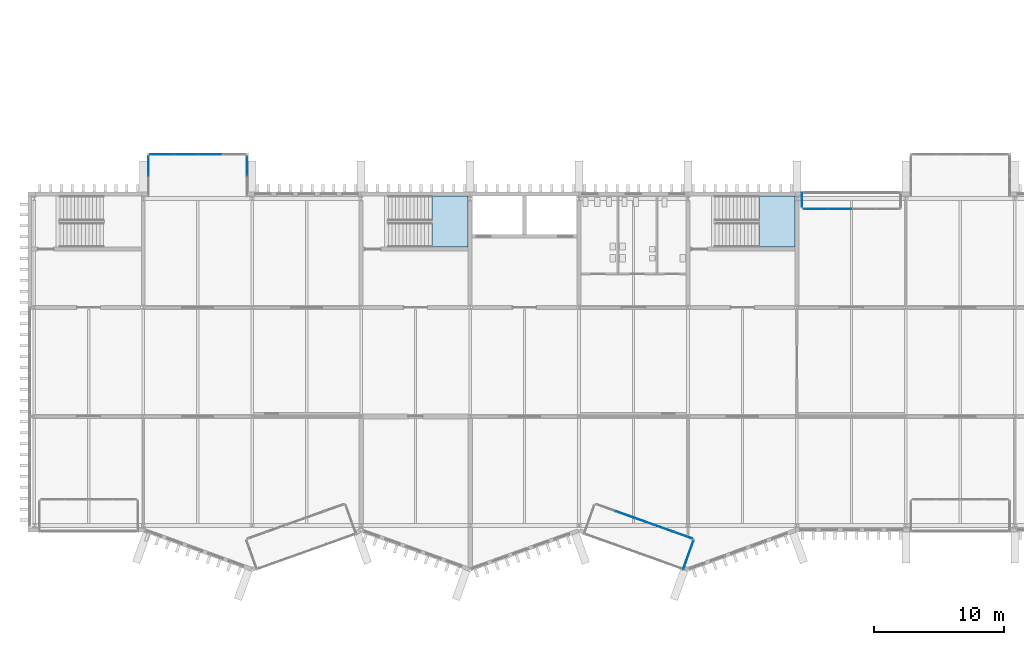
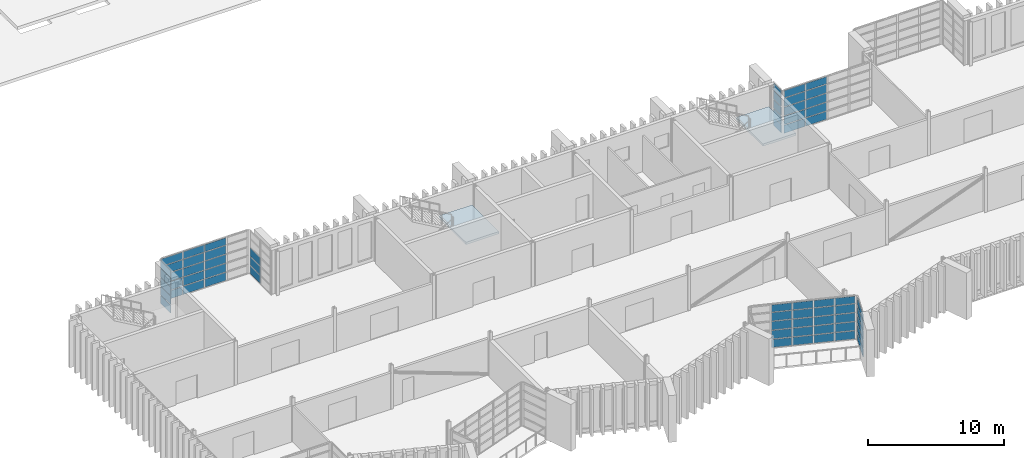
# One storey, part 43 of 88: 63 plates, 2 slabs, 9 elements without a shape of their own.
"""IFC4 building model written with IfcOpenShell, lengths in metres."""

from ifc_helpers import new_model, si_unit, direction, frame, origin, origin_2d, place, context, subcontext, project, spatial, polyline, rectangle, outline, extrude, material, layer, layer_set, type_object, element, aggregate, save


model = new_model("IFC4")

# Units and contexts
model_context = context("Model", 3, precision=1e-05, world=origin(), true_north=direction((0.0, 1.0)))
body_context = subcontext(model_context, "Body", "Model", "MODEL_VIEW")
ifc_project = project(units=[si_unit("LENGTHUNIT", "METRE"), si_unit("AREAUNIT", "SQUARE_METRE"), si_unit("VOLUMEUNIT", "CUBIC_METRE"), si_unit("PLANEANGLEUNIT", "RADIAN"), si_unit("MASSUNIT", "GRAM", prefix="KILO")], contexts=[model_context])

# Site, building, storey
site_placement = place(None, origin())
site = spatial("IfcSite", under=ifc_project, at=site_placement, CompositionType="ELEMENT")
building_placement = place(site_placement, origin())
building = spatial("IfcBuilding", under=site, at=building_placement, Name="Cresset Court Congress Hotel", CompositionType="ELEMENT")
storey_placement = place(building_placement, frame((0.0, 0.0, 14.39990234375)))
storey = spatial("IfcBuildingStorey", under=building, at=storey_placement, Name="L03", CompositionType="ELEMENT", Elevation=14.39990234375)

# Curtain wall, plates
ifc_material_1 = material(Name="Aluminium frame with double glazing", Category="aluminium")
ifc_layer_1 = layer(ifc_material_1, 0.199951171875)
ifc_layer_set_1 = layer_set([ifc_layer_1], Name="Glazed box curtain wall 1680 module")
curtain_wall_type = type_object("IfcCurtainWallType", Name="Glazed box curtain wall 1680 module", PredefinedType="NOTDEFINED", material=ifc_layer_set_1)
curtain_wall_1_placement = place(storey_placement, origin())
curtain_wall_1 = element("IfcCurtainWall", 1, at=curtain_wall_1_placement, inside=storey, type_object=curtain_wall_type, Name="Glazed box S0308 front", PredefinedType="NOTDEFINED")
ifc_material_2 = material(Name="Toughened double glazing", Category="glass")
ifc_layer_2 = layer(ifc_material_2, 0.028076171875)
ifc_layer_set_2 = layer_set([ifc_layer_2], Name="Box glass panel 28")
plate_type_1 = type_object("IfcPlateType", Name="Box glass panel 28", PredefinedType="CURTAIN_PANEL", material=ifc_layer_set_2)
plate_1_placement = place(storey_placement, frame((53.94921875, 0.837158203125, 0.06005859375), z_axis=(0.0, 0.0, 1.0), x_axis=(0.941741911601, -0.336336396981, 0.0)))
plate_1 = element("IfcPlate", 2, at=plate_1_placement, type_object=plate_type_1, Name="B-X1 panel 2.1", PredefinedType="CURTAIN_PANEL", context=body_context, shape_type="SweptSolid", body=[
    extrude(rectangle(XDim=1.52392578125, YDim=0.028076171875, at=origin_2d()), origin(), (0.0, 0.0, 1.0), 0.715087890625),
])
plate_2_placement = place(storey_placement, frame((53.94921875, 0.837158203125, 0.8349609375), z_axis=(0.0, 0.0, 1.0), x_axis=(0.941741911601, -0.336336396981, 0.0)))
plate_2 = element("IfcPlate", 3, at=plate_2_placement, type_object=plate_type_1, Name="B-X1 panel 2.2", PredefinedType="CURTAIN_PANEL", context=body_context, shape_type="SweptSolid", body=[
    extrude(rectangle(XDim=1.52392578125, YDim=0.028076171875, at=origin_2d()), origin(), (0.0, 0.0, 1.0), 0.7451171875),
])
plate_3_placement = place(storey_placement, frame((53.94921875, 0.837158203125, 1.64013671875), z_axis=(0.0, 0.0, 1.0), x_axis=(0.941741911601, -0.336336396981, 0.0)))
plate_3 = element("IfcPlate", 4, at=plate_3_placement, type_object=plate_type_1, Name="B-X1 panel 2.3", PredefinedType="CURTAIN_PANEL", context=body_context, shape_type="SweptSolid", body=[
    extrude(rectangle(XDim=1.52392578125, YDim=0.028076171875, at=origin_2d()), origin(), (0.0, 0.0, 1.0), 0.7451171875),
])
plate_4_placement = place(storey_placement, frame((53.94921875, 0.837158203125, 2.445068359375), z_axis=(0.0, 0.0, 1.0), x_axis=(0.941741911601, -0.336336396981, 0.0)))
plate_4 = element("IfcPlate", 5, at=plate_4_placement, type_object=plate_type_1, Name="B-X1 panel 2.4", PredefinedType="CURTAIN_PANEL", context=body_context, shape_type="SweptSolid", body=[
    extrude(rectangle(XDim=1.52392578125, YDim=0.028076171875, at=origin_2d()), origin(), (0.0, 0.0, 1.0), 0.7451171875),
])
plate_5_placement = place(storey_placement, frame((55.44091796875, 0.304443359375, 0.06005859375), z_axis=(0.0, 0.0, 1.0), x_axis=(0.941741911601, -0.336336396981, 0.0)))
plate_5 = element("IfcPlate", 6, at=plate_5_placement, type_object=plate_type_1, Name="B-X1 panel 3.1", PredefinedType="CURTAIN_PANEL", context=body_context, shape_type="SweptSolid", body=[
    extrude(rectangle(XDim=1.52392578125, YDim=0.028076171875, at=origin_2d()), origin(), (0.0, 0.0, 1.0), 0.715087890625),
])
plate_6_placement = place(storey_placement, frame((55.44091796875, 0.304443359375, 0.8349609375), z_axis=(0.0, 0.0, 1.0), x_axis=(0.941741911601, -0.336336396981, 0.0)))
plate_6 = element("IfcPlate", 7, at=plate_6_placement, type_object=plate_type_1, Name="B-X1 panel 3.2", PredefinedType="CURTAIN_PANEL", context=body_context, shape_type="SweptSolid", body=[
    extrude(rectangle(XDim=1.52392578125, YDim=0.028076171875, at=origin_2d()), origin(), (0.0, 0.0, 1.0), 0.7451171875),
])
plate_7_placement = place(storey_placement, frame((55.44091796875, 0.304443359375, 1.64013671875), z_axis=(0.0, 0.0, 1.0), x_axis=(0.941741911601, -0.336336396981, 0.0)))
plate_7 = element("IfcPlate", 8, at=plate_7_placement, type_object=plate_type_1, Name="B-X1 panel 3.3", PredefinedType="CURTAIN_PANEL", context=body_context, shape_type="SweptSolid", body=[
    extrude(rectangle(XDim=1.52392578125, YDim=0.028076171875, at=origin_2d()), origin(), (0.0, 0.0, 1.0), 0.7451171875),
])
plate_8_placement = place(storey_placement, frame((55.44091796875, 0.304443359375, 2.445068359375), z_axis=(0.0, 0.0, 1.0), x_axis=(0.941741911601, -0.336336396981, 0.0)))
plate_8 = element("IfcPlate", 9, at=plate_8_placement, type_object=plate_type_1, Name="B-X1 panel 3.4", PredefinedType="CURTAIN_PANEL", context=body_context, shape_type="SweptSolid", body=[
    extrude(rectangle(XDim=1.52392578125, YDim=0.028076171875, at=origin_2d()), origin(), (0.0, 0.0, 1.0), 0.7451171875),
])
plate_9_placement = place(storey_placement, frame((56.932373046875, -0.228271484375, 0.06005859375), z_axis=(0.0, 0.0, 1.0), x_axis=(0.941741911601, -0.336336396981, 0.0)))
plate_9 = element("IfcPlate", 10, at=plate_9_placement, type_object=plate_type_1, Name="B-X1 panel 4.1", PredefinedType="CURTAIN_PANEL", context=body_context, shape_type="SweptSolid", body=[
    extrude(rectangle(XDim=1.52392578125, YDim=0.028076171875, at=origin_2d()), origin(), (0.0, 0.0, 1.0), 0.715087890625),
])
plate_10_placement = place(storey_placement, frame((56.932373046875, -0.228271484375, 0.8349609375), z_axis=(0.0, 0.0, 1.0), x_axis=(0.941741911601, -0.336336396981, 0.0)))
plate_10 = element("IfcPlate", 11, at=plate_10_placement, type_object=plate_type_1, Name="B-X1 panel 4.2", PredefinedType="CURTAIN_PANEL", context=body_context, shape_type="SweptSolid", body=[
    extrude(rectangle(XDim=1.52392578125, YDim=0.028076171875, at=origin_2d()), origin(), (0.0, 0.0, 1.0), 0.7451171875),
])
plate_11_placement = place(storey_placement, frame((56.932373046875, -0.228271484375, 1.64013671875), z_axis=(0.0, 0.0, 1.0), x_axis=(0.941741911601, -0.336336396981, 0.0)))
plate_11 = element("IfcPlate", 12, at=plate_11_placement, type_object=plate_type_1, Name="B-X1 panel 4.3", PredefinedType="CURTAIN_PANEL", context=body_context, shape_type="SweptSolid", body=[
    extrude(rectangle(XDim=1.52392578125, YDim=0.028076171875, at=origin_2d()), origin(), (0.0, 0.0, 1.0), 0.7451171875),
])
plate_12_placement = place(storey_placement, frame((56.932373046875, -0.228271484375, 2.445068359375), z_axis=(0.0, 0.0, 1.0), x_axis=(0.941741911601, -0.336336396981, 0.0)))
plate_12 = element("IfcPlate", 13, at=plate_12_placement, type_object=plate_type_1, Name="B-X1 panel 4.4", PredefinedType="CURTAIN_PANEL", context=body_context, shape_type="SweptSolid", body=[
    extrude(rectangle(XDim=1.52392578125, YDim=0.028076171875, at=origin_2d()), origin(), (0.0, 0.0, 1.0), 0.7451171875),
])
plate_13_placement = place(storey_placement, frame((58.409912109375, -0.756103515625, 0.06005859375), z_axis=(0.0, 0.0, 1.0), x_axis=(0.941741911601, -0.336336396981, 0.0)))
plate_13 = element("IfcPlate", 14, at=plate_13_placement, type_object=plate_type_1, Name="B-X1 panel 5.1", PredefinedType="CURTAIN_PANEL", context=body_context, shape_type="SweptSolid", body=[
    extrude(rectangle(XDim=1.493896484375, YDim=0.028076171875, at=origin_2d()), origin(), (0.0, 0.0, 1.0), 0.715087890625),
])
plate_14_placement = place(storey_placement, frame((58.409912109375, -0.756103515625, 0.8349609375), z_axis=(0.0, 0.0, 1.0), x_axis=(0.941741911601, -0.336336396981, 0.0)))
plate_14 = element("IfcPlate", 15, at=plate_14_placement, type_object=plate_type_1, Name="B-X1 panel 5.2", PredefinedType="CURTAIN_PANEL", context=body_context, shape_type="SweptSolid", body=[
    extrude(rectangle(XDim=1.493896484375, YDim=0.028076171875, at=origin_2d()), origin(), (0.0, 0.0, 1.0), 0.7451171875),
])
plate_15_placement = place(storey_placement, frame((58.409912109375, -0.756103515625, 1.64013671875), z_axis=(0.0, 0.0, 1.0), x_axis=(0.941741911601, -0.336336396981, 0.0)))
plate_15 = element("IfcPlate", 16, at=plate_15_placement, type_object=plate_type_1, Name="B-X1 panel 5.3", PredefinedType="CURTAIN_PANEL", context=body_context, shape_type="SweptSolid", body=[
    extrude(rectangle(XDim=1.493896484375, YDim=0.028076171875, at=origin_2d()), origin(), (0.0, 0.0, 1.0), 0.7451171875),
])
plate_16_placement = place(storey_placement, frame((58.409912109375, -0.756103515625, 2.445068359375), z_axis=(0.0, 0.0, 1.0), x_axis=(0.941741911601, -0.336336396981, 0.0)))
plate_16 = element("IfcPlate", 17, at=plate_16_placement, type_object=plate_type_1, Name="B-X1 panel 5.4", PredefinedType="CURTAIN_PANEL", context=body_context, shape_type="SweptSolid", body=[
    extrude(rectangle(XDim=1.493896484375, YDim=0.028076171875, at=origin_2d()), origin(), (0.0, 0.0, 1.0), 0.7451171875),
])

curtain_wall_2_placement = place(storey_placement, origin())
curtain_wall_2 = element("IfcCurtainWall", 18, at=curtain_wall_2_placement, inside=storey, type_object=curtain_wall_type, Name="Glazed box S0308 side", PredefinedType="NOTDEFINED")
plate_17_placement = place(storey_placement, frame((58.826904296875, -2.285400390625, 0.06005859375), z_axis=(0.0, 0.0, 1.0), x_axis=(0.336336397047, 0.941741911578, 0.0)))
plate_17 = element("IfcPlate", 19, at=plate_17_placement, type_object=plate_type_1, Name="B-X1 panel 1.1", PredefinedType="CURTAIN_PANEL", context=body_context, shape_type="SweptSolid", body=[
    extrude(rectangle(XDim=2.280029296875, YDim=0.028076171875, at=origin_2d()), origin(), (0.0, 0.0, 1.0), 0.715087890625),
])
plate_18_placement = place(storey_placement, frame((58.826904296875, -2.285400390625, 0.8349609375), z_axis=(0.0, 0.0, 1.0), x_axis=(0.336336397047, 0.941741911578, 0.0)))
plate_18 = element("IfcPlate", 20, at=plate_18_placement, type_object=plate_type_1, Name="B-X1 panel 1.2", PredefinedType="CURTAIN_PANEL", context=body_context, shape_type="SweptSolid", body=[
    extrude(rectangle(XDim=2.280029296875, YDim=0.028076171875, at=origin_2d()), origin(), (0.0, 0.0, 1.0), 0.7451171875),
])
plate_19_placement = place(storey_placement, frame((58.826904296875, -2.285400390625, 1.64013671875), z_axis=(0.0, 0.0, 1.0), x_axis=(0.336336397047, 0.941741911578, 0.0)))
plate_19 = element("IfcPlate", 21, at=plate_19_placement, type_object=plate_type_1, Name="B-X1 panel 1.3", PredefinedType="CURTAIN_PANEL", context=body_context, shape_type="SweptSolid", body=[
    extrude(rectangle(XDim=2.280029296875, YDim=0.028076171875, at=origin_2d()), origin(), (0.0, 0.0, 1.0), 0.7451171875),
])
plate_20_placement = place(storey_placement, frame((58.826904296875, -2.285400390625, 2.445068359375), z_axis=(0.0, 0.0, 1.0), x_axis=(0.336336397047, 0.941741911578, 0.0)))
plate_20 = element("IfcPlate", 22, at=plate_20_placement, type_object=plate_type_1, Name="B-X1 panel 1.4", PredefinedType="CURTAIN_PANEL", context=body_context, shape_type="SweptSolid", body=[
    extrude(rectangle(XDim=2.280029296875, YDim=0.028076171875, at=origin_2d()), origin(), (0.0, 0.0, 1.0), 0.7451171875),
])

curtain_wall_3_placement = place(storey_placement, origin())
curtain_wall_3 = element("IfcCurtainWall", 23, at=curtain_wall_3_placement, inside=storey, type_object=curtain_wall_type, Name="Glazed box N0325 front", PredefinedType="NOTDEFINED")
plate_21_placement = place(storey_placement, frame((18.239990234375, 28.60009765625, 0.06005859375), z_axis=(0.0, 0.0, 1.0), x_axis=(1.0, 0.0, 0.0)))
plate_21 = element("IfcPlate", 24, at=plate_21_placement, type_object=plate_type_1, Name="B-X1 panel 1.1", PredefinedType="CURTAIN_PANEL", context=body_context, shape_type="SweptSolid", body=[
    extrude(rectangle(XDim=1.760009765625, YDim=0.028076171875, at=origin_2d()), origin(), (0.0, 0.0, 1.0), 0.715087890625),
])
plate_22_placement = place(storey_placement, frame((18.239990234375, 28.60009765625, 0.8349609375), z_axis=(0.0, 0.0, 1.0), x_axis=(1.0, 0.0, 0.0)))
plate_22 = element("IfcPlate", 25, at=plate_22_placement, type_object=plate_type_1, Name="B-X1 panel 1.2", PredefinedType="CURTAIN_PANEL", context=body_context, shape_type="SweptSolid", body=[
    extrude(rectangle(XDim=1.760009765625, YDim=0.028076171875, at=origin_2d()), origin(), (0.0, 0.0, 1.0), 0.7451171875),
])
plate_23_placement = place(storey_placement, frame((18.239990234375, 28.60009765625, 1.64013671875), z_axis=(0.0, 0.0, 1.0), x_axis=(1.0, 0.0, 0.0)))
plate_23 = element("IfcPlate", 26, at=plate_23_placement, type_object=plate_type_1, Name="B-X1 panel 1.3", PredefinedType="CURTAIN_PANEL", context=body_context, shape_type="SweptSolid", body=[
    extrude(rectangle(XDim=1.760009765625, YDim=0.028076171875, at=origin_2d()), origin(), (0.0, 0.0, 1.0), 0.7451171875),
])
plate_24_placement = place(storey_placement, frame((18.239990234375, 28.60009765625, 2.445068359375), z_axis=(0.0, 0.0, 1.0), x_axis=(1.0, 0.0, 0.0)))
plate_24 = element("IfcPlate", 27, at=plate_24_placement, type_object=plate_type_1, Name="B-X1 panel 1.4", PredefinedType="CURTAIN_PANEL", context=body_context, shape_type="SweptSolid", body=[
    extrude(rectangle(XDim=1.760009765625, YDim=0.028076171875, at=origin_2d()), origin(), (0.0, 0.0, 1.0), 0.7451171875),
])
plate_25_placement = place(storey_placement, frame((20.074951171875, 28.60009765625, 0.06005859375), z_axis=(0.0, 0.0, 1.0), x_axis=(1.0, 0.0, 0.0)))
plate_25 = element("IfcPlate", 28, at=plate_25_placement, type_object=plate_type_1, Name="B-X1 panel 2.1", PredefinedType="CURTAIN_PANEL", context=body_context, shape_type="SweptSolid", body=[
    extrude(rectangle(XDim=1.7900390625, YDim=0.028076171875, at=origin_2d()), origin(), (0.0, 0.0, 1.0), 0.715087890625),
])
plate_26_placement = place(storey_placement, frame((20.074951171875, 28.60009765625, 0.8349609375), z_axis=(0.0, 0.0, 1.0), x_axis=(1.0, 0.0, 0.0)))
plate_26 = element("IfcPlate", 29, at=plate_26_placement, type_object=plate_type_1, Name="B-X1 panel 2.2", PredefinedType="CURTAIN_PANEL", context=body_context, shape_type="SweptSolid", body=[
    extrude(rectangle(XDim=1.7900390625, YDim=0.028076171875, at=origin_2d()), origin(), (0.0, 0.0, 1.0), 0.7451171875),
])
plate_27_placement = place(storey_placement, frame((20.074951171875, 28.60009765625, 1.64013671875), z_axis=(0.0, 0.0, 1.0), x_axis=(1.0, 0.0, 0.0)))
plate_27 = element("IfcPlate", 30, at=plate_27_placement, type_object=plate_type_1, Name="B-X1 panel 2.3", PredefinedType="CURTAIN_PANEL", context=body_context, shape_type="SweptSolid", body=[
    extrude(rectangle(XDim=1.7900390625, YDim=0.028076171875, at=origin_2d()), origin(), (0.0, 0.0, 1.0), 0.7451171875),
])
plate_28_placement = place(storey_placement, frame((20.074951171875, 28.60009765625, 2.445068359375), z_axis=(0.0, 0.0, 1.0), x_axis=(1.0, 0.0, 0.0)))
plate_28 = element("IfcPlate", 31, at=plate_28_placement, type_object=plate_type_1, Name="B-X1 panel 2.4", PredefinedType="CURTAIN_PANEL", context=body_context, shape_type="SweptSolid", body=[
    extrude(rectangle(XDim=1.7900390625, YDim=0.028076171875, at=origin_2d()), origin(), (0.0, 0.0, 1.0), 0.7451171875),
])
plate_29_placement = place(storey_placement, frame((21.925048828125, 28.60009765625, 0.06005859375), z_axis=(0.0, 0.0, 1.0), x_axis=(1.0, 0.0, 0.0)))
plate_29 = element("IfcPlate", 32, at=plate_29_placement, type_object=plate_type_1, Name="B-X1 panel 3.1", PredefinedType="CURTAIN_PANEL", context=body_context, shape_type="SweptSolid", body=[
    extrude(rectangle(XDim=1.7900390625, YDim=0.028076171875, at=origin_2d()), origin(), (0.0, 0.0, 1.0), 0.715087890625),
])
plate_30_placement = place(storey_placement, frame((21.925048828125, 28.60009765625, 0.8349609375), z_axis=(0.0, 0.0, 1.0), x_axis=(1.0, 0.0, 0.0)))
plate_30 = element("IfcPlate", 33, at=plate_30_placement, type_object=plate_type_1, Name="B-X1 panel 3.2", PredefinedType="CURTAIN_PANEL", context=body_context, shape_type="SweptSolid", body=[
    extrude(rectangle(XDim=1.7900390625, YDim=0.028076171875, at=origin_2d()), origin(), (0.0, 0.0, 1.0), 0.7451171875),
])
plate_31_placement = place(storey_placement, frame((21.925048828125, 28.60009765625, 1.64013671875), z_axis=(0.0, 0.0, 1.0), x_axis=(1.0, 0.0, 0.0)))
plate_31 = element("IfcPlate", 34, at=plate_31_placement, type_object=plate_type_1, Name="B-X1 panel 3.3", PredefinedType="CURTAIN_PANEL", context=body_context, shape_type="SweptSolid", body=[
    extrude(rectangle(XDim=1.7900390625, YDim=0.028076171875, at=origin_2d()), origin(), (0.0, 0.0, 1.0), 0.7451171875),
])
plate_32_placement = place(storey_placement, frame((21.925048828125, 28.60009765625, 2.445068359375), z_axis=(0.0, 0.0, 1.0), x_axis=(1.0, 0.0, 0.0)))
plate_32 = element("IfcPlate", 35, at=plate_32_placement, type_object=plate_type_1, Name="B-X1 panel 3.4", PredefinedType="CURTAIN_PANEL", context=body_context, shape_type="SweptSolid", body=[
    extrude(rectangle(XDim=1.7900390625, YDim=0.028076171875, at=origin_2d()), origin(), (0.0, 0.0, 1.0), 0.7451171875),
])

curtain_wall_4_placement = place(storey_placement, origin())
curtain_wall_4 = element("IfcCurtainWall", 36, at=curtain_wall_4_placement, inside=storey, type_object=curtain_wall_type, Name="Glazed box N0325 side", PredefinedType="NOTDEFINED")
plate_33_placement = place(storey_placement, frame((17.199951171875, 27.7099609375, 0.06005859375), z_axis=(0.0, 0.0, 1.0), x_axis=(0.0, 1.0, 0.0)))
plate_33 = element("IfcPlate", 37, at=plate_33_placement, type_object=plate_type_1, Name="B-X1 panel 2.1", PredefinedType="CURTAIN_PANEL", context=body_context, shape_type="SweptSolid", body=[
    extrude(rectangle(XDim=1.4599609375, YDim=0.028076171875, at=origin_2d()), origin(), (0.0, 0.0, 1.0), 0.715087890625),
])
plate_34_placement = place(storey_placement, frame((17.199951171875, 27.7099609375, 0.8349609375), z_axis=(0.0, 0.0, 1.0), x_axis=(0.0, 1.0, 0.0)))
plate_34 = element("IfcPlate", 38, at=plate_34_placement, type_object=plate_type_1, Name="B-X1 panel 2.2", PredefinedType="CURTAIN_PANEL", context=body_context, shape_type="SweptSolid", body=[
    extrude(rectangle(XDim=1.4599609375, YDim=0.028076171875, at=origin_2d()), origin(), (0.0, 0.0, 1.0), 0.7451171875),
])
plate_35_placement = place(storey_placement, frame((17.199951171875, 27.7099609375, 1.64013671875), z_axis=(0.0, 0.0, 1.0), x_axis=(0.0, 1.0, 0.0)))
plate_35 = element("IfcPlate", 39, at=plate_35_placement, type_object=plate_type_1, Name="B-X1 panel 2.3", PredefinedType="CURTAIN_PANEL", context=body_context, shape_type="SweptSolid", body=[
    extrude(rectangle(XDim=1.4599609375, YDim=0.028076171875, at=origin_2d()), origin(), (0.0, 0.0, 1.0), 0.7451171875),
])
plate_36_placement = place(storey_placement, frame((17.199951171875, 27.7099609375, 2.445068359375), z_axis=(0.0, 0.0, 1.0), x_axis=(0.0, 1.0, 0.0)))
plate_36 = element("IfcPlate", 40, at=plate_36_placement, type_object=plate_type_1, Name="B-X1 panel 2.4", PredefinedType="CURTAIN_PANEL", context=body_context, shape_type="SweptSolid", body=[
    extrude(rectangle(XDim=1.4599609375, YDim=0.028076171875, at=origin_2d()), origin(), (0.0, 0.0, 1.0), 0.7451171875),
])

curtain_wall_5_placement = place(storey_placement, origin())
curtain_wall_5 = element("IfcCurtainWall", 41, at=curtain_wall_5_placement, inside=storey, type_object=curtain_wall_type, Name="Glazed box N0325 side", PredefinedType="NOTDEFINED")
plate_37_placement = place(storey_placement, frame((24.800048828125, 27.7099609375, 0.06005859375), z_axis=(0.0, 0.0, 1.0), x_axis=(0.0, 1.0, 0.0)))
plate_37 = element("IfcPlate", 42, at=plate_37_placement, type_object=plate_type_1, Name="B-X1 panel 2.1", PredefinedType="CURTAIN_PANEL", context=body_context, shape_type="SweptSolid", body=[
    extrude(rectangle(XDim=1.4599609375, YDim=0.028076171875, at=origin_2d()), origin(), (0.0, 0.0, 1.0), 0.715087890625),
])
plate_38_placement = place(storey_placement, frame((24.800048828125, 27.7099609375, 0.8349609375), z_axis=(0.0, 0.0, 1.0), x_axis=(0.0, 1.0, 0.0)))
plate_38 = element("IfcPlate", 43, at=plate_38_placement, type_object=plate_type_1, Name="B-X1 panel 2.2", PredefinedType="CURTAIN_PANEL", context=body_context, shape_type="SweptSolid", body=[
    extrude(rectangle(XDim=1.4599609375, YDim=0.028076171875, at=origin_2d()), origin(), (0.0, 0.0, 1.0), 0.7451171875),
])
plate_39_placement = place(storey_placement, frame((24.800048828125, 27.7099609375, 1.64013671875), z_axis=(0.0, 0.0, 1.0), x_axis=(0.0, 1.0, 0.0)))
plate_39 = element("IfcPlate", 44, at=plate_39_placement, type_object=plate_type_1, Name="B-X1 panel 2.3", PredefinedType="CURTAIN_PANEL", context=body_context, shape_type="SweptSolid", body=[
    extrude(rectangle(XDim=1.4599609375, YDim=0.028076171875, at=origin_2d()), origin(), (0.0, 0.0, 1.0), 0.7451171875),
])
aggregate(curtain_wall_5, [plate_37, plate_38, plate_39])

curtain_wall_6_placement = place(storey_placement, origin())
curtain_wall_6 = element("IfcCurtainWall", 45, at=curtain_wall_6_placement, inside=storey, type_object=curtain_wall_type, Name="Glazed box N0327 front", PredefinedType="NOTDEFINED")
plate_40_placement = place(storey_placement, frame((68.639892578125, 24.39990234375, 0.06005859375), z_axis=(0.0, 0.0, 1.0), x_axis=(1.0, 0.0, 0.0)))
plate_40 = element("IfcPlate", 46, at=plate_40_placement, type_object=plate_type_1, Name="B-X1 panel 1.1", PredefinedType="CURTAIN_PANEL", context=body_context, shape_type="SweptSolid", body=[
    extrude(rectangle(XDim=1.760009765625, YDim=0.028076171875, at=origin_2d()), origin(), (0.0, 0.0, 1.0), 0.715087890625),
])
plate_41_placement = place(storey_placement, frame((68.639892578125, 24.39990234375, 0.8349609375), z_axis=(0.0, 0.0, 1.0), x_axis=(1.0, 0.0, 0.0)))
plate_41 = element("IfcPlate", 47, at=plate_41_placement, type_object=plate_type_1, Name="B-X1 panel 1.2", PredefinedType="CURTAIN_PANEL", context=body_context, shape_type="SweptSolid", body=[
    extrude(rectangle(XDim=1.760009765625, YDim=0.028076171875, at=origin_2d()), origin(), (0.0, 0.0, 1.0), 0.7451171875),
])
plate_42_placement = place(storey_placement, frame((68.639892578125, 24.39990234375, 1.64013671875), z_axis=(0.0, 0.0, 1.0), x_axis=(1.0, 0.0, 0.0)))
plate_42 = element("IfcPlate", 48, at=plate_42_placement, type_object=plate_type_1, Name="B-X1 panel 1.3", PredefinedType="CURTAIN_PANEL", context=body_context, shape_type="SweptSolid", body=[
    extrude(rectangle(XDim=1.760009765625, YDim=0.028076171875, at=origin_2d()), origin(), (0.0, 0.0, 1.0), 0.7451171875),
])
plate_43_placement = place(storey_placement, frame((68.639892578125, 24.39990234375, 2.445068359375), z_axis=(0.0, 0.0, 1.0), x_axis=(1.0, 0.0, 0.0)))
plate_43 = element("IfcPlate", 49, at=plate_43_placement, type_object=plate_type_1, Name="B-X1 panel 1.4", PredefinedType="CURTAIN_PANEL", context=body_context, shape_type="SweptSolid", body=[
    extrude(rectangle(XDim=1.760009765625, YDim=0.028076171875, at=origin_2d()), origin(), (0.0, 0.0, 1.0), 0.7451171875),
])
plate_44_placement = place(storey_placement, frame((70.47509765625, 24.39990234375, 0.06005859375), z_axis=(0.0, 0.0, 1.0), x_axis=(1.0, 0.0, 0.0)))
plate_44 = element("IfcPlate", 50, at=plate_44_placement, type_object=plate_type_1, Name="B-X1 panel 2.1", PredefinedType="CURTAIN_PANEL", context=body_context, shape_type="SweptSolid", body=[
    extrude(rectangle(XDim=1.7900390625, YDim=0.028076171875, at=origin_2d()), origin(), (0.0, 0.0, 1.0), 0.715087890625),
])
plate_45_placement = place(storey_placement, frame((70.47509765625, 24.39990234375, 0.8349609375), z_axis=(0.0, 0.0, 1.0), x_axis=(1.0, 0.0, 0.0)))
plate_45 = element("IfcPlate", 51, at=plate_45_placement, type_object=plate_type_1, Name="B-X1 panel 2.2", PredefinedType="CURTAIN_PANEL", context=body_context, shape_type="SweptSolid", body=[
    extrude(rectangle(XDim=1.7900390625, YDim=0.028076171875, at=origin_2d()), origin(), (0.0, 0.0, 1.0), 0.7451171875),
])
plate_46_placement = place(storey_placement, frame((70.47509765625, 24.39990234375, 1.64013671875), z_axis=(0.0, 0.0, 1.0), x_axis=(1.0, 0.0, 0.0)))
plate_46 = element("IfcPlate", 52, at=plate_46_placement, type_object=plate_type_1, Name="B-X1 panel 2.3", PredefinedType="CURTAIN_PANEL", context=body_context, shape_type="SweptSolid", body=[
    extrude(rectangle(XDim=1.7900390625, YDim=0.028076171875, at=origin_2d()), origin(), (0.0, 0.0, 1.0), 0.7451171875),
])
plate_47_placement = place(storey_placement, frame((70.47509765625, 24.39990234375, 2.445068359375), z_axis=(0.0, 0.0, 1.0), x_axis=(1.0, 0.0, 0.0)))
plate_47 = element("IfcPlate", 53, at=plate_47_placement, type_object=plate_type_1, Name="B-X1 panel 2.4", PredefinedType="CURTAIN_PANEL", context=body_context, shape_type="SweptSolid", body=[
    extrude(rectangle(XDim=1.7900390625, YDim=0.028076171875, at=origin_2d()), origin(), (0.0, 0.0, 1.0), 0.7451171875),
])

curtain_wall_7_placement = place(storey_placement, origin())
curtain_wall_7 = element("IfcCurtainWall", 54, at=curtain_wall_7_placement, inside=storey, type_object=curtain_wall_type, Name="Glazed box N0327 side", PredefinedType="NOTDEFINED")
plate_48_placement = place(storey_placement, frame((67.60009765625, 25.10009765625, 0.06005859375), z_axis=(0.0, 0.0, 1.0), x_axis=(0.0, -1.0, 0.0)))
plate_48 = element("IfcPlate", 55, at=plate_48_placement, type_object=plate_type_1, Name="B-X1 panel 1.1", PredefinedType="CURTAIN_PANEL", context=body_context, shape_type="SweptSolid", body=[
    extrude(rectangle(XDim=1.080078125, YDim=0.028076171875, at=origin_2d()), origin(), (0.0, 0.0, 1.0), 0.715087890625),
])
plate_49_placement = place(storey_placement, frame((67.60009765625, 25.10009765625, 0.8349609375), z_axis=(0.0, 0.0, 1.0), x_axis=(0.0, -1.0, 0.0)))
plate_49 = element("IfcPlate", 56, at=plate_49_placement, type_object=plate_type_1, Name="B-X1 panel 1.2", PredefinedType="CURTAIN_PANEL", context=body_context, shape_type="SweptSolid", body=[
    extrude(rectangle(XDim=1.080078125, YDim=0.028076171875, at=origin_2d()), origin(), (0.0, 0.0, 1.0), 0.7451171875),
])
plate_50_placement = place(storey_placement, frame((67.60009765625, 25.10009765625, 1.64013671875), z_axis=(0.0, 0.0, 1.0), x_axis=(0.0, -1.0, 0.0)))
plate_50 = element("IfcPlate", 57, at=plate_50_placement, type_object=plate_type_1, Name="B-X1 panel 1.3", PredefinedType="CURTAIN_PANEL", context=body_context, shape_type="SweptSolid", body=[
    extrude(rectangle(XDim=1.080078125, YDim=0.028076171875, at=origin_2d()), origin(), (0.0, 0.0, 1.0), 0.7451171875),
])
plate_51_placement = place(storey_placement, frame((67.60009765625, 25.10009765625, 2.445068359375), z_axis=(0.0, 0.0, 1.0), x_axis=(0.0, -1.0, 0.0)))
plate_51 = element("IfcPlate", 58, at=plate_51_placement, type_object=plate_type_1, Name="B-X1 panel 1.4", PredefinedType="CURTAIN_PANEL", context=body_context, shape_type="SweptSolid", body=[
    extrude(rectangle(XDim=1.080078125, YDim=0.028076171875, at=origin_2d()), origin(), (0.0, 0.0, 1.0), 0.7451171875),
])

# Plate
ifc_material_3 = material(Name="Insulated aluminium spandrel panel", Category="aluminium")
ifc_layer_3 = layer(ifc_material_3, 0.0400390625)
ifc_layer_set_3 = layer_set([ifc_layer_3], Name="Box spandrel panel 40")
plate_type_2 = type_object("IfcPlateType", Name="Box spandrel panel 40", PredefinedType="CURTAIN_PANEL", material=ifc_layer_set_3)
plate_52_placement = place(storey_placement, frame((53.94921875, 0.837158203125, 3.25), z_axis=(0.0, 0.0, 1.0), x_axis=(0.941741911601, -0.336336396981, 0.0)))
plate_52 = element("IfcPlate", 59, at=plate_52_placement, type_object=plate_type_2, Name="B-X1 spandrel panel 2.5", PredefinedType="CURTAIN_PANEL", context=body_context, shape_type="SweptSolid", body=[
    extrude(rectangle(XDim=1.52392578125, YDim=0.0400390625, at=origin_2d()), origin(), (0.0, 0.0, 1.0), 0.639892578125),
])

plate_53_placement = place(storey_placement, frame((55.44091796875, 0.304443359375, 3.25), z_axis=(0.0, 0.0, 1.0), x_axis=(0.941741911601, -0.336336396981, 0.0)))
plate_53 = element("IfcPlate", 60, at=plate_53_placement, type_object=plate_type_2, Name="B-X1 spandrel panel 3.5", PredefinedType="CURTAIN_PANEL", context=body_context, shape_type="SweptSolid", body=[
    extrude(rectangle(XDim=1.52392578125, YDim=0.0400390625, at=origin_2d()), origin(), (0.0, 0.0, 1.0), 0.639892578125),
])

plate_54_placement = place(storey_placement, frame((56.932373046875, -0.228271484375, 3.25), z_axis=(0.0, 0.0, 1.0), x_axis=(0.941741911601, -0.336336396981, 0.0)))
plate_54 = element("IfcPlate", 61, at=plate_54_placement, type_object=plate_type_2, Name="B-X1 spandrel panel 4.5", PredefinedType="CURTAIN_PANEL", context=body_context, shape_type="SweptSolid", body=[
    extrude(rectangle(XDim=1.52392578125, YDim=0.0400390625, at=origin_2d()), origin(), (0.0, 0.0, 1.0), 0.639892578125),
])

plate_55_placement = place(storey_placement, frame((58.409912109375, -0.756103515625, 3.25), z_axis=(0.0, 0.0, 1.0), x_axis=(0.941741911601, -0.336336396981, 0.0)))
plate_55 = element("IfcPlate", 62, at=plate_55_placement, type_object=plate_type_2, Name="B-X1 spandrel panel 5.5", PredefinedType="CURTAIN_PANEL", context=body_context, shape_type="SweptSolid", body=[
    extrude(rectangle(XDim=1.493896484375, YDim=0.0400390625, at=origin_2d()), origin(), (0.0, 0.0, 1.0), 0.639892578125),
])

aggregate(curtain_wall_1, [plate_1, plate_2, plate_3, plate_4, plate_52, plate_5, plate_6, plate_7, plate_8, plate_53, plate_9, plate_10, plate_11, plate_12, plate_54, plate_13, plate_14, plate_15, plate_16, plate_55])

plate_56_placement = place(storey_placement, frame((58.826904296875, -2.285400390625, 3.25), z_axis=(0.0, 0.0, 1.0), x_axis=(0.336336397047, 0.941741911578, 0.0)))
plate_56 = element("IfcPlate", 63, at=plate_56_placement, type_object=plate_type_2, Name="B-X1 spandrel panel 1.5", PredefinedType="CURTAIN_PANEL", context=body_context, shape_type="SweptSolid", body=[
    extrude(rectangle(XDim=2.280029296875, YDim=0.0400390625, at=origin_2d()), origin(), (0.0, 0.0, 1.0), 0.639892578125),
])

aggregate(curtain_wall_2, [plate_17, plate_18, plate_19, plate_20, plate_56])

plate_57_placement = place(storey_placement, frame((18.239990234375, 28.60009765625, 3.25), z_axis=(0.0, 0.0, 1.0), x_axis=(1.0, 0.0, 0.0)))
plate_57 = element("IfcPlate", 64, at=plate_57_placement, type_object=plate_type_2, Name="B-X1 spandrel panel 1.5", PredefinedType="CURTAIN_PANEL", context=body_context, shape_type="SweptSolid", body=[
    extrude(rectangle(XDim=1.760009765625, YDim=0.0400390625, at=origin_2d()), origin(), (0.0, 0.0, 1.0), 0.639892578125),
])

plate_58_placement = place(storey_placement, frame((20.074951171875, 28.60009765625, 3.25), z_axis=(0.0, 0.0, 1.0), x_axis=(1.0, 0.0, 0.0)))
plate_58 = element("IfcPlate", 65, at=plate_58_placement, type_object=plate_type_2, Name="B-X1 spandrel panel 2.5", PredefinedType="CURTAIN_PANEL", context=body_context, shape_type="SweptSolid", body=[
    extrude(rectangle(XDim=1.7900390625, YDim=0.0400390625, at=origin_2d()), origin(), (0.0, 0.0, 1.0), 0.639892578125),
])

plate_59_placement = place(storey_placement, frame((21.925048828125, 28.60009765625, 3.25), z_axis=(0.0, 0.0, 1.0), x_axis=(1.0, 0.0, 0.0)))
plate_59 = element("IfcPlate", 66, at=plate_59_placement, type_object=plate_type_2, Name="B-X1 spandrel panel 3.5", PredefinedType="CURTAIN_PANEL", context=body_context, shape_type="SweptSolid", body=[
    extrude(rectangle(XDim=1.7900390625, YDim=0.0400390625, at=origin_2d()), origin(), (0.0, 0.0, 1.0), 0.639892578125),
])

aggregate(curtain_wall_3, [plate_21, plate_22, plate_23, plate_24, plate_57, plate_25, plate_26, plate_27, plate_28, plate_58, plate_29, plate_30, plate_31, plate_32, plate_59])

plate_60_placement = place(storey_placement, frame((17.199951171875, 27.7099609375, 3.25), z_axis=(0.0, 0.0, 1.0), x_axis=(0.0, 1.0, 0.0)))
plate_60 = element("IfcPlate", 67, at=plate_60_placement, type_object=plate_type_2, Name="B-X1 spandrel panel 2.5", PredefinedType="CURTAIN_PANEL", context=body_context, shape_type="SweptSolid", body=[
    extrude(rectangle(XDim=1.4599609375, YDim=0.0400390625, at=origin_2d()), origin(), (0.0, 0.0, 1.0), 0.639892578125),
])

aggregate(curtain_wall_4, [plate_33, plate_34, plate_35, plate_36, plate_60])

plate_61_placement = place(storey_placement, frame((68.639892578125, 24.39990234375, 3.25), z_axis=(0.0, 0.0, 1.0), x_axis=(1.0, 0.0, 0.0)))
plate_61 = element("IfcPlate", 68, at=plate_61_placement, type_object=plate_type_2, Name="B-X1 spandrel panel 1.5", PredefinedType="CURTAIN_PANEL", context=body_context, shape_type="SweptSolid", body=[
    extrude(rectangle(XDim=1.760009765625, YDim=0.0400390625, at=origin_2d()), origin(), (0.0, 0.0, 1.0), 0.639892578125),
])

plate_62_placement = place(storey_placement, frame((70.47509765625, 24.39990234375, 3.25), z_axis=(0.0, 0.0, 1.0), x_axis=(1.0, 0.0, 0.0)))
plate_62 = element("IfcPlate", 69, at=plate_62_placement, type_object=plate_type_2, Name="B-X1 spandrel panel 2.5", PredefinedType="CURTAIN_PANEL", context=body_context, shape_type="SweptSolid", body=[
    extrude(rectangle(XDim=1.7900390625, YDim=0.0400390625, at=origin_2d()), origin(), (0.0, 0.0, 1.0), 0.639892578125),
])

aggregate(curtain_wall_6, [plate_40, plate_41, plate_42, plate_43, plate_61, plate_44, plate_45, plate_46, plate_47, plate_62])

plate_63_placement = place(storey_placement, frame((67.60009765625, 25.10009765625, 3.25), z_axis=(0.0, 0.0, 1.0), x_axis=(0.0, -1.0, 0.0)))
plate_63 = element("IfcPlate", 70, at=plate_63_placement, type_object=plate_type_2, Name="B-X1 spandrel panel 1.5", PredefinedType="CURTAIN_PANEL", context=body_context, shape_type="SweptSolid", body=[
    extrude(rectangle(XDim=1.080078125, YDim=0.0400390625, at=origin_2d()), origin(), (0.0, 0.0, 1.0), 0.639892578125),
])

aggregate(curtain_wall_7, [plate_48, plate_49, plate_50, plate_51, plate_63])

# Stair, slab
ifc_material_4 = material(Name="Concrete C40", Category="concrete")
stair_type = type_object("IfcStairType", Name="Dog-leg stair 1400 flights", PredefinedType="HALF_TURN_STAIR", material=ifc_material_4)
stair_1_placement = place(storey_placement, origin())
stair_1 = element("IfcStair", 71, at=stair_1_placement, inside=storey, type_object=stair_type, Name="L03 Stair ST-B2", PredefinedType="HALF_TURN_STAIR")
ifc_material_5 = material(Name="Concrete C40", Category="concrete")
ifc_layer_4 = layer(ifc_material_5, 0.199951171875)
ifc_layer_set_4 = layer_set([ifc_layer_4], Name="Stair landing 200")
slab_type = type_object("IfcSlabType", Name="Stair landing 200", PredefinedType="LANDING", material=ifc_layer_set_4)
slab_1_placement = place(storey_placement, frame((0.0, 0.0, 1.900146484375)))
slab_1 = element("IfcSlab", 72, at=slab_1_placement, type_object=slab_type, Name="ST-B2 landing 1", PredefinedType="LANDING", context=body_context, shape_type="SweptSolid", body=[
    extrude(outline(polyline([(39.06005859375, 21.449951171875), (41.85009765625, 21.449951171875), (41.85009765625, 25.39990234375), (39.06005859375, 25.39990234375), (39.06005859375, 21.449951171875)])), origin(), (0.0, 0.0, 1.0), 0.199951171875),
])
aggregate(stair_1, [slab_1])

stair_2_placement = place(storey_placement, origin())
stair_2 = element("IfcStair", 73, at=stair_2_placement, inside=storey, type_object=stair_type, Name="L03 Stair ST-B3", PredefinedType="HALF_TURN_STAIR")
slab_2_placement = place(storey_placement, frame((0.0, 0.0, 1.900146484375)))
slab_2 = element("IfcSlab", 74, at=slab_2_placement, type_object=slab_type, Name="ST-B3 landing 1", PredefinedType="LANDING", context=body_context, shape_type="SweptSolid", body=[
    extrude(outline(polyline([(64.260009765625, 21.449951171875), (67.050048828125, 21.449951171875), (67.050048828125, 25.39990234375), (64.260009765625, 25.39990234375), (64.260009765625, 21.449951171875)])), origin(), (0.0, 0.0, 1.0), 0.199951171875),
])
aggregate(stair_2, [slab_2])

save(model, "model.ifc")
